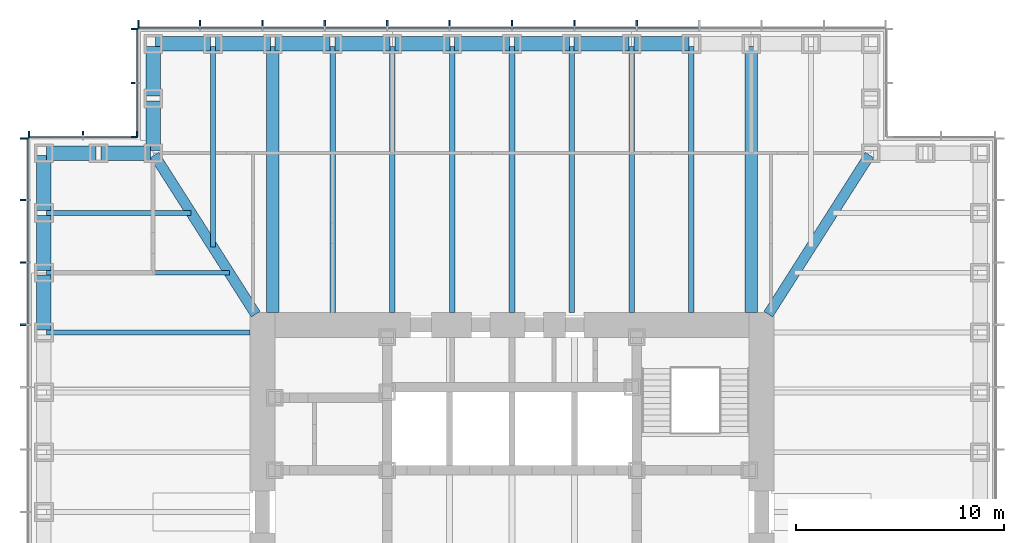
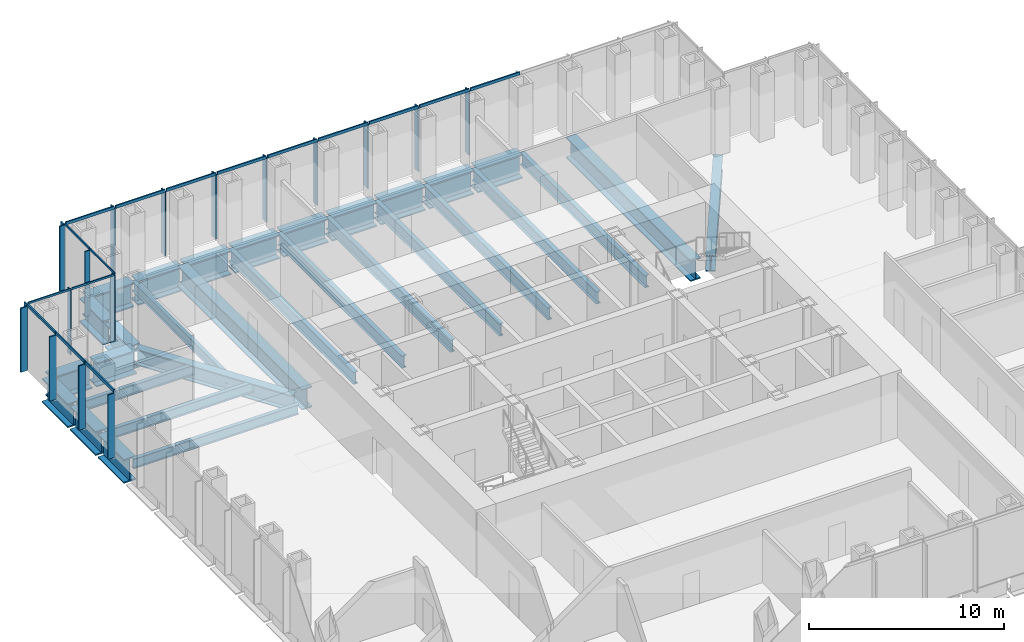
# One storey, part 5 of 17: 35 members, 31 beams, 4 elements without a shape of their own.
"""IFC4 building model written with IfcOpenShell, lengths in metres."""

from ifc_helpers import new_model, si_unit, direction, frame, origin, origin_2d, place, context, subcontext, project, spatial, rectangle, i_section, extrude, material, material_profile, profile_set, type_object, element, aggregate, save


model = new_model("IFC4")

# Units and contexts
model_context = context("Model", 3, precision=1e-05, world=origin(), true_north=direction((0.0, 1.0)))
body_context = subcontext(model_context, "Body", "Model", "MODEL_VIEW")
ifc_project = project(units=[si_unit("LENGTHUNIT", "METRE"), si_unit("AREAUNIT", "SQUARE_METRE"), si_unit("VOLUMEUNIT", "CUBIC_METRE"), si_unit("PLANEANGLEUNIT", "RADIAN"), si_unit("MASSUNIT", "GRAM", prefix="KILO")], contexts=[model_context])

# Site, building, storey
site_placement = place(None, origin())
site = spatial("IfcSite", under=ifc_project, at=site_placement, CompositionType="ELEMENT")
building_placement = place(site_placement, origin())
building = spatial("IfcBuilding", under=site, at=building_placement, Name="Daluyong Arena Tower", CompositionType="ELEMENT")
storey_placement = place(building_placement, frame((0.0, 0.0, 166.89990234375)))
storey = spatial("IfcBuildingStorey", under=building, at=storey_placement, Name="L37", CompositionType="ELEMENT", Elevation=166.89990234375)

# Curtain wall, members
ifc_material_1 = material(Name="Bronze anodised aluminium and glass", Category="aluminium")
curtain_wall_type_1 = type_object("IfcCurtainWallType", Name="Curtain wall CW2", PredefinedType="USERDEFINED", material=ifc_material_1)
curtain_wall_1_placement = place(storey_placement, origin())
curtain_wall_1 = element("IfcCurtainWall", 1, at=curtain_wall_1_placement, inside=storey, type_object=curtain_wall_type_1, Name="curtain wall L37 N", ObjectType="UNITISED CURTAIN WALL", PredefinedType="USERDEFINED")
ifc_material_2 = material(Name="Bronze anodised aluminium fin", Category="aluminium")
ifc_material_profile_1 = material_profile(ifc_material_2, rectangle(XDim=0.39990234375, YDim=0.080078125, at=origin_2d()))
ifc_profile_set_1 = profile_set([ifc_material_profile_1], Name="Bronze anodised aluminium fin")
member_type_1 = type_object("IfcMemberType", Name="CW2 bronze fin 400x80", PredefinedType="MULLION", material=ifc_profile_set_1)
member_1_placement = place(storey_placement, frame((62.0, 103.449951171875, 0.0), z_axis=(0.0, 0.0, 1.0), x_axis=(0.0, -1.0, 0.0)))
member_1 = element("IfcMember", 2, at=member_1_placement, type_object=member_type_1, Name="curtain wall L37 N fin 5", PredefinedType="MULLION", context=body_context, shape_type="SweptSolid", body=[
    extrude(rectangle(XDim=0.39990234375, YDim=0.080078125, at=origin_2d()), origin(), (0.0, 0.0, 1.0), 4.02001953125),
])
member_2_placement = place(storey_placement, frame((59.0, 103.449951171875, 0.0), z_axis=(0.0, 0.0, 1.0), x_axis=(0.0, -1.0, 0.0)))
member_2 = element("IfcMember", 3, at=member_2_placement, type_object=member_type_1, Name="curtain wall L37 N fin 6", PredefinedType="MULLION", context=body_context, shape_type="SweptSolid", body=[
    extrude(rectangle(XDim=0.39990234375, YDim=0.080078125, at=origin_2d()), origin(), (0.0, 0.0, 1.0), 4.02001953125),
])
member_3_placement = place(storey_placement, frame((56.0, 103.449951171875, 0.0), z_axis=(0.0, 0.0, 1.0), x_axis=(0.0, -1.0, 0.0)))
member_3 = element("IfcMember", 4, at=member_3_placement, type_object=member_type_1, Name="curtain wall L37 N fin 7", PredefinedType="MULLION", context=body_context, shape_type="SweptSolid", body=[
    extrude(rectangle(XDim=0.39990234375, YDim=0.080078125, at=origin_2d()), origin(), (0.0, 0.0, 1.0), 4.02001953125),
])
member_4_placement = place(storey_placement, frame((53.0, 103.449951171875, 0.0), z_axis=(0.0, 0.0, 1.0), x_axis=(0.0, -1.0, 0.0)))
member_4 = element("IfcMember", 5, at=member_4_placement, type_object=member_type_1, Name="curtain wall L37 N fin 8", PredefinedType="MULLION", context=body_context, shape_type="SweptSolid", body=[
    extrude(rectangle(XDim=0.39990234375, YDim=0.080078125, at=origin_2d()), origin(), (0.0, 0.0, 1.0), 4.02001953125),
])
member_5_placement = place(storey_placement, frame((50.0, 103.449951171875, 0.0), z_axis=(0.0, 0.0, 1.0), x_axis=(0.0, -1.0, 0.0)))
member_5 = element("IfcMember", 6, at=member_5_placement, type_object=member_type_1, Name="curtain wall L37 N fin 9", PredefinedType="MULLION", context=body_context, shape_type="SweptSolid", body=[
    extrude(rectangle(XDim=0.39990234375, YDim=0.080078125, at=origin_2d()), origin(), (0.0, 0.0, 1.0), 4.02001953125),
])
member_6_placement = place(storey_placement, frame((47.0, 103.449951171875, 0.0), z_axis=(0.0, 0.0, 1.0), x_axis=(0.0, -1.0, 0.0)))
member_6 = element("IfcMember", 7, at=member_6_placement, type_object=member_type_1, Name="curtain wall L37 N fin 10", PredefinedType="MULLION", context=body_context, shape_type="SweptSolid", body=[
    extrude(rectangle(XDim=0.39990234375, YDim=0.080078125, at=origin_2d()), origin(), (0.0, 0.0, 1.0), 4.02001953125),
])
member_7_placement = place(storey_placement, frame((44.0, 103.449951171875, 0.0), z_axis=(0.0, 0.0, 1.0), x_axis=(0.0, -1.0, 0.0)))
member_7 = element("IfcMember", 8, at=member_7_placement, type_object=member_type_1, Name="curtain wall L37 N fin 11", PredefinedType="MULLION", context=body_context, shape_type="SweptSolid", body=[
    extrude(rectangle(XDim=0.39990234375, YDim=0.080078125, at=origin_2d()), origin(), (0.0, 0.0, 1.0), 4.02001953125),
])
member_8_placement = place(storey_placement, frame((41.0, 103.449951171875, 0.0), z_axis=(0.0, 0.0, 1.0), x_axis=(0.0, -1.0, 0.0)))
member_8 = element("IfcMember", 9, at=member_8_placement, type_object=member_type_1, Name="curtain wall L37 N fin 12", PredefinedType="MULLION", context=body_context, shape_type="SweptSolid", body=[
    extrude(rectangle(XDim=0.39990234375, YDim=0.080078125, at=origin_2d()), origin(), (0.0, 0.0, 1.0), 4.02001953125),
])
member_9_placement = place(storey_placement, frame((38.0400390625, 103.449951171875, 0.0), z_axis=(0.0, 0.0, 1.0), x_axis=(0.0, -1.0, 0.0)))
member_9 = element("IfcMember", 10, at=member_9_placement, type_object=member_type_1, Name="curtain wall L37 N fin 13", PredefinedType="MULLION", context=body_context, shape_type="SweptSolid", body=[
    extrude(rectangle(XDim=0.39990234375, YDim=0.080078125, at=origin_2d()), origin(), (0.0, 0.0, 1.0), 4.02001953125),
])

curtain_wall_2_placement = place(storey_placement, origin())
curtain_wall_2 = element("IfcCurtainWall", 11, at=curtain_wall_2_placement, inside=storey, type_object=curtain_wall_type_1, Name="curtain wall L37 W", ObjectType="UNITISED CURTAIN WALL", PredefinedType="USERDEFINED")
member_10_placement = place(storey_placement, frame((32.550048828125, 97.9599609375, 0.0), z_axis=(0.0, 0.0, 1.0), x_axis=(1.0, 0.0, 0.0)))
member_10 = element("IfcMember", 12, at=member_10_placement, type_object=member_type_1, Name="curtain wall L37 W fin 1", PredefinedType="MULLION", context=body_context, shape_type="SweptSolid", body=[
    extrude(rectangle(XDim=0.39990234375, YDim=0.080078125, at=origin_2d()), origin(), (0.0, 0.0, 1.0), 4.02001953125),
])
member_11_placement = place(storey_placement, frame((32.550048828125, 95.0, 0.0), z_axis=(0.0, 0.0, 1.0), x_axis=(1.0, 0.0, 0.0)))
member_11 = element("IfcMember", 13, at=member_11_placement, type_object=member_type_1, Name="curtain wall L37 W fin 2", PredefinedType="MULLION", context=body_context, shape_type="SweptSolid", body=[
    extrude(rectangle(XDim=0.39990234375, YDim=0.080078125, at=origin_2d()), origin(), (0.0, 0.0, 1.0), 4.02001953125),
])
member_12_placement = place(storey_placement, frame((32.550048828125, 92.0, 0.0), z_axis=(0.0, 0.0, 1.0), x_axis=(1.0, 0.0, 0.0)))
member_12 = element("IfcMember", 14, at=member_12_placement, type_object=member_type_1, Name="curtain wall L37 W fin 3", PredefinedType="MULLION", context=body_context, shape_type="SweptSolid", body=[
    extrude(rectangle(XDim=0.39990234375, YDim=0.080078125, at=origin_2d()), origin(), (0.0, 0.0, 1.0), 4.02001953125),
])
member_13_placement = place(storey_placement, frame((32.550048828125, 89.0, 0.0), z_axis=(0.0, 0.0, 1.0), x_axis=(1.0, 0.0, 0.0)))
member_13 = element("IfcMember", 15, at=member_13_placement, type_object=member_type_1, Name="curtain wall L37 W fin 4", PredefinedType="MULLION", context=body_context, shape_type="SweptSolid", body=[
    extrude(rectangle(XDim=0.39990234375, YDim=0.080078125, at=origin_2d()), origin(), (0.0, 0.0, 1.0), 4.02001953125),
])

# Member
ifc_material_3 = material(Name="Bronze anodised aluminium", Category="aluminium")
ifc_material_profile_2 = material_profile(ifc_material_3, rectangle(XDim=0.080078125, YDim=0.179931640625, at=origin_2d()))
ifc_profile_set_2 = profile_set([ifc_material_profile_2], Name="Bronze anodised aluminium")
member_type_2 = type_object("IfcMemberType", Name="CW2 stack transom 180x80", PredefinedType="USERDEFINED", material=ifc_profile_set_2)
member_14_placement = place(storey_placement, frame((64.9599609375, 103.25, 4.110107421875), z_axis=(-1.0, 0.0, 0.0), x_axis=(0.0, -1.0, 0.0)))
member_14 = element("IfcMember", 16, at=member_14_placement, type_object=member_type_2, Name="curtain wall L37 N transom 4", ObjectType="TRANSOM", PredefinedType="USERDEFINED", context=body_context, shape_type="SweptSolid", body=[
    extrude(rectangle(XDim=0.080078125, YDim=0.179931640625, at=origin_2d()), origin(), (0.0, 0.0, 1.0), 2.919921875),
])

member_15_placement = place(storey_placement, frame((61.9599609375, 103.25, 4.110107421875), z_axis=(-1.0, 0.0, 0.0), x_axis=(0.0, -1.0, 0.0)))
member_15 = element("IfcMember", 17, at=member_15_placement, type_object=member_type_2, Name="curtain wall L37 N transom 5", ObjectType="TRANSOM", PredefinedType="USERDEFINED", context=body_context, shape_type="SweptSolid", body=[
    extrude(rectangle(XDim=0.080078125, YDim=0.179931640625, at=origin_2d()), origin(), (0.0, 0.0, 1.0), 2.919921875),
])

member_16_placement = place(storey_placement, frame((58.9599609375, 103.25, 4.110107421875), z_axis=(-1.0, 0.0, 0.0), x_axis=(0.0, -1.0, 0.0)))
member_16 = element("IfcMember", 18, at=member_16_placement, type_object=member_type_2, Name="curtain wall L37 N transom 6", ObjectType="TRANSOM", PredefinedType="USERDEFINED", context=body_context, shape_type="SweptSolid", body=[
    extrude(rectangle(XDim=0.080078125, YDim=0.179931640625, at=origin_2d()), origin(), (0.0, 0.0, 1.0), 2.919921875),
])

member_17_placement = place(storey_placement, frame((55.9599609375, 103.25, 4.110107421875), z_axis=(-1.0, 0.0, 0.0), x_axis=(0.0, -1.0, 0.0)))
member_17 = element("IfcMember", 19, at=member_17_placement, type_object=member_type_2, Name="curtain wall L37 N transom 7", ObjectType="TRANSOM", PredefinedType="USERDEFINED", context=body_context, shape_type="SweptSolid", body=[
    extrude(rectangle(XDim=0.080078125, YDim=0.179931640625, at=origin_2d()), origin(), (0.0, 0.0, 1.0), 2.919921875),
])

member_18_placement = place(storey_placement, frame((52.9599609375, 103.25, 4.110107421875), z_axis=(-1.0, 0.0, 0.0), x_axis=(0.0, -1.0, 0.0)))
member_18 = element("IfcMember", 20, at=member_18_placement, type_object=member_type_2, Name="curtain wall L37 N transom 8", ObjectType="TRANSOM", PredefinedType="USERDEFINED", context=body_context, shape_type="SweptSolid", body=[
    extrude(rectangle(XDim=0.080078125, YDim=0.179931640625, at=origin_2d()), origin(), (0.0, 0.0, 1.0), 2.919921875),
])

member_19_placement = place(storey_placement, frame((49.9599609375, 103.25, 4.110107421875), z_axis=(-1.0, 0.0, 0.0), x_axis=(0.0, -1.0, 0.0)))
member_19 = element("IfcMember", 21, at=member_19_placement, type_object=member_type_2, Name="curtain wall L37 N transom 9", ObjectType="TRANSOM", PredefinedType="USERDEFINED", context=body_context, shape_type="SweptSolid", body=[
    extrude(rectangle(XDim=0.080078125, YDim=0.179931640625, at=origin_2d()), origin(), (0.0, 0.0, 1.0), 2.919921875),
])

member_20_placement = place(storey_placement, frame((46.9599609375, 103.25, 4.110107421875), z_axis=(-1.0, 0.0, 0.0), x_axis=(0.0, -1.0, 0.0)))
member_20 = element("IfcMember", 22, at=member_20_placement, type_object=member_type_2, Name="curtain wall L37 N transom 10", ObjectType="TRANSOM", PredefinedType="USERDEFINED", context=body_context, shape_type="SweptSolid", body=[
    extrude(rectangle(XDim=0.080078125, YDim=0.179931640625, at=origin_2d()), origin(), (0.0, 0.0, 1.0), 2.919921875),
])

member_21_placement = place(storey_placement, frame((43.9599609375, 103.25, 4.110107421875), z_axis=(-1.0, 0.0, 0.0), x_axis=(0.0, -1.0, 0.0)))
member_21 = element("IfcMember", 23, at=member_21_placement, type_object=member_type_2, Name="curtain wall L37 N transom 11", ObjectType="TRANSOM", PredefinedType="USERDEFINED", context=body_context, shape_type="SweptSolid", body=[
    extrude(rectangle(XDim=0.080078125, YDim=0.179931640625, at=origin_2d()), origin(), (0.0, 0.0, 1.0), 2.919921875),
])

member_22_placement = place(storey_placement, frame((40.9599609375, 103.25, 4.110107421875), z_axis=(-1.0, 0.0, 0.0), x_axis=(0.0, -1.0, 0.0)))
member_22 = element("IfcMember", 24, at=member_22_placement, type_object=member_type_2, Name="curtain wall L37 N transom 12", ObjectType="TRANSOM", PredefinedType="USERDEFINED", context=body_context, shape_type="SweptSolid", body=[
    extrude(rectangle(XDim=0.080078125, YDim=0.179931640625, at=origin_2d()), origin(), (0.0, 0.0, 1.0), 2.8798828125),
])

aggregate(curtain_wall_1, [member_1, member_2, member_3, member_4, member_5, member_6, member_7, member_8, member_9, member_14, member_15, member_16, member_17, member_18, member_19, member_20, member_21, member_22])

member_23_placement = place(storey_placement, frame((32.75, 97.919921875, 4.110107421875), z_axis=(0.0, -1.0, 0.0), x_axis=(1.0, 0.0, 0.0)))
member_23 = element("IfcMember", 25, at=member_23_placement, type_object=member_type_2, Name="curtain wall L37 W transom 1", ObjectType="TRANSOM", PredefinedType="USERDEFINED", context=body_context, shape_type="SweptSolid", body=[
    extrude(rectangle(XDim=0.080078125, YDim=0.179931640625, at=origin_2d()), origin(), (0.0, 0.0, 1.0), 2.8798828125),
])

member_24_placement = place(storey_placement, frame((32.75, 94.9599609375, 4.110107421875), z_axis=(0.0, -1.0, 0.0), x_axis=(1.0, 0.0, 0.0)))
member_24 = element("IfcMember", 26, at=member_24_placement, type_object=member_type_2, Name="curtain wall L37 W transom 2", ObjectType="TRANSOM", PredefinedType="USERDEFINED", context=body_context, shape_type="SweptSolid", body=[
    extrude(rectangle(XDim=0.080078125, YDim=0.179931640625, at=origin_2d()), origin(), (0.0, 0.0, 1.0), 2.919921875),
])

member_25_placement = place(storey_placement, frame((32.75, 91.9599609375, 4.110107421875), z_axis=(0.0, -1.0, 0.0), x_axis=(1.0, 0.0, 0.0)))
member_25 = element("IfcMember", 27, at=member_25_placement, type_object=member_type_2, Name="curtain wall L37 W transom 3", ObjectType="TRANSOM", PredefinedType="USERDEFINED", context=body_context, shape_type="SweptSolid", body=[
    extrude(rectangle(XDim=0.080078125, YDim=0.179931640625, at=origin_2d()), origin(), (0.0, 0.0, 1.0), 2.919921875),
])

aggregate(curtain_wall_2, [member_10, member_11, member_12, member_13, member_23, member_24, member_25])

# Curtain wall, members
ifc_material_4 = material(Name="Bronze anodised aluminium and glass", Category="aluminium")
curtain_wall_type_2 = type_object("IfcCurtainWallType", Name="Curtain wall CW7", PredefinedType="USERDEFINED", material=ifc_material_4)
curtain_wall_3_placement = place(storey_placement, origin())
curtain_wall_3 = element("IfcCurtainWall", 28, at=curtain_wall_3_placement, inside=storey, type_object=curtain_wall_type_2, Name="curtain wall L37 NW-W", ObjectType="UNITISED CURTAIN WALL", PredefinedType="USERDEFINED")
ifc_material_5 = material(Name="Bronze anodised aluminium fin", Category="aluminium")
ifc_material_profile_3 = material_profile(ifc_material_5, rectangle(XDim=0.300048828125, YDim=0.06005859375, at=origin_2d()))
ifc_profile_set_3 = profile_set([ifc_material_profile_3], Name="Bronze anodised aluminium fin")
member_type_3 = type_object("IfcMemberType", Name="CW7 bronze fin 300x60", PredefinedType="MULLION", material=ifc_profile_set_3)
member_26_placement = place(storey_placement, frame((37.85009765625, 103.219970703125, 0.0), z_axis=(0.0, 0.0, 1.0), x_axis=(1.0, 0.0, 0.0)))
member_26 = element("IfcMember", 29, at=member_26_placement, type_object=member_type_3, Name="curtain wall L37 NW-W fin 1", PredefinedType="MULLION", context=body_context, shape_type="SweptSolid", body=[
    extrude(rectangle(XDim=0.300048828125, YDim=0.06005859375, at=origin_2d()), origin(), (0.0, 0.0, 1.0), 4.080078125),
])
member_27_placement = place(storey_placement, frame((37.85009765625, 100.625, 0.0), z_axis=(0.0, 0.0, 1.0), x_axis=(1.0, 0.0, 0.0)))
member_27 = element("IfcMember", 30, at=member_27_placement, type_object=member_type_3, Name="curtain wall L37 NW-W fin 2", PredefinedType="MULLION", context=body_context, shape_type="SweptSolid", body=[
    extrude(rectangle(XDim=0.300048828125, YDim=0.06005859375, at=origin_2d()), origin(), (0.0, 0.0, 1.0), 4.080078125),
])
member_28_placement = place(storey_placement, frame((37.85009765625, 98.030029296875, 0.0), z_axis=(0.0, 0.0, 1.0), x_axis=(1.0, 0.0, 0.0)))
member_28 = element("IfcMember", 31, at=member_28_placement, type_object=member_type_3, Name="curtain wall L37 NW-W fin 3", PredefinedType="MULLION", context=body_context, shape_type="SweptSolid", body=[
    extrude(rectangle(XDim=0.300048828125, YDim=0.06005859375, at=origin_2d()), origin(), (0.0, 0.0, 1.0), 4.080078125),
])

curtain_wall_4_placement = place(storey_placement, origin())
curtain_wall_4 = element("IfcCurtainWall", 32, at=curtain_wall_4_placement, inside=storey, type_object=curtain_wall_type_2, Name="curtain wall L37 NW-N", ObjectType="UNITISED CURTAIN WALL", PredefinedType="USERDEFINED")
member_29_placement = place(storey_placement, frame((37.969970703125, 98.14990234375, 0.0), z_axis=(0.0, 0.0, 1.0), x_axis=(0.0, -1.0, 0.0)))
member_29 = element("IfcMember", 33, at=member_29_placement, type_object=member_type_3, Name="curtain wall L37 NW-N fin 1", PredefinedType="MULLION", context=body_context, shape_type="SweptSolid", body=[
    extrude(rectangle(XDim=0.300048828125, YDim=0.06005859375, at=origin_2d()), origin(), (0.0, 0.0, 1.0), 4.080078125),
])
member_30_placement = place(storey_placement, frame((35.375, 98.14990234375, 0.0), z_axis=(0.0, 0.0, 1.0), x_axis=(0.0, -1.0, 0.0)))
member_30 = element("IfcMember", 34, at=member_30_placement, type_object=member_type_3, Name="curtain wall L37 NW-N fin 2", PredefinedType="MULLION", context=body_context, shape_type="SweptSolid", body=[
    extrude(rectangle(XDim=0.300048828125, YDim=0.06005859375, at=origin_2d()), origin(), (0.0, 0.0, 1.0), 4.080078125),
])
member_31_placement = place(storey_placement, frame((32.780029296875, 98.14990234375, 0.0), z_axis=(0.0, 0.0, 1.0), x_axis=(0.0, -1.0, 0.0)))
member_31 = element("IfcMember", 35, at=member_31_placement, type_object=member_type_3, Name="curtain wall L37 NW-N fin 3", PredefinedType="MULLION", context=body_context, shape_type="SweptSolid", body=[
    extrude(rectangle(XDim=0.300048828125, YDim=0.06005859375, at=origin_2d()), origin(), (0.0, 0.0, 1.0), 4.080078125),
])

# Member
ifc_material_6 = material(Name="Bronze anodised aluminium", Category="aluminium")
ifc_material_profile_4 = material_profile(ifc_material_6, rectangle(XDim=0.06005859375, YDim=0.1201171875, at=origin_2d()))
ifc_profile_set_4 = profile_set([ifc_material_profile_4], Name="Bronze anodised aluminium")
member_type_4 = type_object("IfcMemberType", Name="CW7 stack transom 120x60", PredefinedType="USERDEFINED", material=ifc_profile_set_4)
member_32_placement = place(storey_placement, frame((38.0, 103.18994140625, 4.14013671875), z_axis=(0.0, -1.0, 0.0), x_axis=(1.0, 0.0, 0.0)))
member_32 = element("IfcMember", 36, at=member_32_placement, type_object=member_type_4, Name="curtain wall L37 NW-W transom 1", ObjectType="TRANSOM", PredefinedType="USERDEFINED", context=body_context, shape_type="SweptSolid", body=[
    extrude(rectangle(XDim=0.06005859375, YDim=0.1201171875, at=origin_2d()), origin(), (0.0, 0.0, 1.0), 2.534912109375),
])

member_33_placement = place(storey_placement, frame((38.0, 100.594970703125, 4.14013671875), z_axis=(0.0, -1.0, 0.0), x_axis=(1.0, 0.0, 0.0)))
member_33 = element("IfcMember", 37, at=member_33_placement, type_object=member_type_4, Name="curtain wall L37 NW-W transom 2", ObjectType="TRANSOM", PredefinedType="USERDEFINED", context=body_context, shape_type="SweptSolid", body=[
    extrude(rectangle(XDim=0.06005859375, YDim=0.1201171875, at=origin_2d()), origin(), (0.0, 0.0, 1.0), 2.534912109375),
])

aggregate(curtain_wall_3, [member_26, member_27, member_28, member_32, member_33])

member_34_placement = place(storey_placement, frame((37.93994140625, 98.0, 4.14013671875), z_axis=(-1.0, 0.0, 0.0), x_axis=(0.0, -1.0, 0.0)))
member_34 = element("IfcMember", 38, at=member_34_placement, type_object=member_type_4, Name="curtain wall L37 NW-N transom 1", ObjectType="TRANSOM", PredefinedType="USERDEFINED", context=body_context, shape_type="SweptSolid", body=[
    extrude(rectangle(XDim=0.06005859375, YDim=0.1201171875, at=origin_2d()), origin(), (0.0, 0.0, 1.0), 2.534912109375),
])

member_35_placement = place(storey_placement, frame((35.344970703125, 98.0, 4.14013671875), z_axis=(-1.0, 0.0, 0.0), x_axis=(0.0, -1.0, 0.0)))
member_35 = element("IfcMember", 39, at=member_35_placement, type_object=member_type_4, Name="curtain wall L37 NW-N transom 2", ObjectType="TRANSOM", PredefinedType="USERDEFINED", context=body_context, shape_type="SweptSolid", body=[
    extrude(rectangle(XDim=0.06005859375, YDim=0.1201171875, at=origin_2d()), origin(), (0.0, 0.0, 1.0), 2.534912109375),
])

aggregate(curtain_wall_4, [member_29, member_30, member_31, member_34, member_35])

# Beams
ifc_material_7 = material(Name="Steel ASTM A572 Grade 50", Category="steel")
ifc_material_profile_5 = material_profile(ifc_material_7, i_section(OverallWidth=0.5, OverallDepth=1.0, WebThickness=0.03, FlangeThickness=0.06, at=origin_2d()))
ifc_profile_set_5 = profile_set([ifc_material_profile_5], Name="Steel ASTM A572 Grade 50")
beam_type_1 = type_object("IfcBeamType", Name="Corner girder TB1000X500", PredefinedType="BEAM", material=ifc_profile_set_5)
for number, where, z_axis, x_axis, name in (
    (40, (73.188232421875, 97.153076171875, -0.659912109375), (-0.536872006459, -0.843663705916, 0.0), (0.843663705916, -0.536872006459, 0.0), "corner girder DG2"),
    (41, (38.811767578125, 97.153076171875, -0.659912109375), (0.536872006459, -0.843663705916, 0.0), (0.843663705916, 0.536872006459, 0.0), "corner girder DG2"),
):
    element("IfcBeam", number, at=place(storey_placement, frame(where, z_axis=z_axis, x_axis=x_axis)), inside=storey, type_object=beam_type_1, Name=name, PredefinedType="BEAM", context=body_context, shape_type="SweptSolid", body=[
        extrude(i_section(OverallWidth=0.5, OverallDepth=1.0, WebThickness=0.03, FlangeThickness=0.06, at=origin_2d()), origin(), (0.0, 0.0, 1.0), 9.06396484375),
    ])
ifc_material_8 = material(Name="Steel ASTM A572 Grade 50", Category="steel")
ifc_material_profile_6 = material_profile(ifc_material_8, i_section(OverallWidth=0.60009765625, OverallDepth=1.300048828125, WebThickness=0.035, FlangeThickness=0.07, at=origin_2d()))
ifc_profile_set_6 = profile_set([ifc_material_profile_6], Name="Steel ASTM A572 Grade 50")
beam_type_2 = type_object("IfcBeamType", Name="Floor beam TB1300X600", PredefinedType="BEAM", material=ifc_profile_set_6)
for number, where, z_axis, x_axis, name in (
    (42, (67.5, 102.385009765625, -0.809814453125), (0.0, -1.0, 0.0), (1.0, 0.0, 0.0), "floor beam FB7"),
    (43, (44.5, 102.385009765625, -0.809814453125), (0.0, -1.0, 0.0), (1.0, 0.0, 0.0), "floor beam FB7"),
):
    element("IfcBeam", number, at=place(storey_placement, frame(where, z_axis=z_axis, x_axis=x_axis)), inside=storey, type_object=beam_type_2, Name=name, PredefinedType="BEAM", context=body_context, shape_type="SweptSolid", body=[
        extrude(i_section(OverallWidth=0.60009765625, OverallDepth=1.300048828125, WebThickness=0.035, FlangeThickness=0.07, at=origin_2d()), origin(), (0.0, 0.0, 1.0), 12.784912109375),
    ])
ifc_material_9 = material(Name="Steel ASTM A992 Grade 50", Category="steel")
ifc_material_profile_7 = material_profile(ifc_material_9, i_section(OverallWidth=0.22900390625, OverallDepth=0.612060546875, WebThickness=0.011962890625, FlangeThickness=0.01953125, at=origin_2d()))
ifc_profile_set_7 = profile_set([ifc_material_profile_7], Name="Steel ASTM A992 Grade 50")
beam_type_3 = type_object("IfcBeamType", Name="Floor beam W24X84", PredefinedType="BEAM", material=ifc_profile_set_7)
beam_1_placement = place(storey_placement, frame((41.625, 102.385009765625, -0.466064453125), z_axis=(0.0, -1.0, 0.0), x_axis=(1.0, 0.0, 0.0)))
element("IfcBeam", 44, at=beam_1_placement, inside=storey, type_object=beam_type_3, Name="floor beam FB3", PredefinedType="BEAM", context=body_context, shape_type="SweptSolid", body=[
    extrude(i_section(OverallWidth=0.22900390625, OverallDepth=0.612060546875, WebThickness=0.011962890625, FlangeThickness=0.01953125, at=origin_2d()), origin(), (0.0, 0.0, 1.0), 9.65283203125),
])
beam_2_placement = place(storey_placement, frame((33.614990234375, 94.375, -0.466064453125), z_axis=(1.0, 0.0, 0.0), x_axis=(0.0, 1.0, 0.0)))
element("IfcBeam", 45, at=beam_2_placement, inside=storey, type_object=beam_type_3, Name="floor beam FB3", PredefinedType="BEAM", context=body_context, shape_type="SweptSolid", body=[
    extrude(i_section(OverallWidth=0.22900390625, OverallDepth=0.612060546875, WebThickness=0.011962890625, FlangeThickness=0.01953125, at=origin_2d()), origin(), (0.0, 0.0, 1.0), 6.964599609375),
])
beam_3_placement = place(storey_placement, frame((33.614990234375, 91.5, -0.466064453125), z_axis=(1.0, 0.0, 0.0), x_axis=(0.0, 1.0, 0.0)))
element("IfcBeam", 46, at=beam_3_placement, inside=storey, type_object=beam_type_3, Name="floor beam FB3", PredefinedType="BEAM", context=body_context, shape_type="SweptSolid", body=[
    extrude(i_section(OverallWidth=0.22900390625, OverallDepth=0.612060546875, WebThickness=0.011962890625, FlangeThickness=0.01953125, at=origin_2d()), origin(), (0.0, 0.0, 1.0), 8.794189453125),
])
beam_4_placement = place(storey_placement, frame((33.614990234375, 88.625, -0.466064453125), z_axis=(1.0, 0.0, 0.0), x_axis=(0.0, 1.0, 0.0)))
element("IfcBeam", 47, at=beam_4_placement, inside=storey, type_object=beam_type_3, Name="floor beam FB3", PredefinedType="BEAM", context=body_context, shape_type="SweptSolid", body=[
    extrude(i_section(OverallWidth=0.22900390625, OverallDepth=0.612060546875, WebThickness=0.011962890625, FlangeThickness=0.01953125, at=origin_2d()), origin(), (0.0, 0.0, 1.0), 9.784912109375),
])
ifc_material_10 = material(Name="Steel ASTM A992 Grade 50", Category="steel")
ifc_material_profile_8 = material_profile(ifc_material_10, i_section(OverallWidth=0.2666015625, OverallDepth=0.761962890625, WebThickness=0.014404296875, FlangeThickness=0.021484375, at=origin_2d()))
ifc_profile_set_8 = profile_set([ifc_material_profile_8], Name="Steel ASTM A992 Grade 50")
beam_type_4 = type_object("IfcBeamType", Name="Floor beam W30X116", PredefinedType="BEAM", material=ifc_profile_set_8)
for number, where, z_axis, x_axis, name in (
    (48, (64.625, 102.385009765625, -0.541015625), (0.0, -1.0, 0.0), (1.0, 0.0, 0.0), "floor beam FB4"),
    (49, (61.75, 102.385009765625, -0.541015625), (0.0, -1.0, 0.0), (1.0, 0.0, 0.0), "floor beam FB4"),
    (50, (58.875, 102.385009765625, -0.541015625), (0.0, -1.0, 0.0), (1.0, 0.0, 0.0), "floor beam FB4"),
    (51, (56.0, 102.385009765625, -0.541015625), (0.0, -1.0, 0.0), (1.0, 0.0, 0.0), "floor beam FB4"),
    (52, (53.125, 102.385009765625, -0.541015625), (0.0, -1.0, 0.0), (1.0, 0.0, 0.0), "floor beam FB4"),
    (53, (50.25, 102.385009765625, -0.541015625), (0.0, -1.0, 0.0), (1.0, 0.0, 0.0), "floor beam FB4"),
    (54, (47.375, 102.385009765625, -0.541015625), (0.0, -1.0, 0.0), (1.0, 0.0, 0.0), "floor beam FB4"),
):
    element("IfcBeam", number, at=place(storey_placement, frame(where, z_axis=z_axis, x_axis=x_axis)), inside=storey, type_object=beam_type_4, Name=name, PredefinedType="BEAM", context=body_context, shape_type="SweptSolid", body=[
        extrude(i_section(OverallWidth=0.2666015625, OverallDepth=0.761962890625, WebThickness=0.014404296875, FlangeThickness=0.021484375, at=origin_2d()), origin(), (0.0, 0.0, 1.0), 12.784912109375),
    ])
ifc_material_11 = material(Name="Steel ASTM A572 Grade 50", Category="steel")
ifc_material_profile_9 = material_profile(ifc_material_11, i_section(OverallWidth=0.699951171875, OverallDepth=1.5, WebThickness=0.04, FlangeThickness=0.08, at=origin_2d()))
ifc_profile_set_9 = profile_set([ifc_material_profile_9], Name="Steel ASTM A572 Grade 50")
beam_type_5 = type_object("IfcBeamType", Name="Spandrel Z2 PG1500X700", PredefinedType="SPANDREL", material=ifc_profile_set_9)
for number, where, z_axis, x_axis, name in (
    (55, (64.510009765625, 102.5, -0.909912109375), (-1.0, 0.0, 0.0), (0.0, -1.0, 0.0), "spandrel z2 SB6"),
    (56, (61.635009765625, 102.5, -0.909912109375), (-1.0, 0.0, 0.0), (0.0, -1.0, 0.0), "spandrel z2 SB6"),
    (57, (58.760009765625, 102.5, -0.909912109375), (-1.0, 0.0, 0.0), (0.0, -1.0, 0.0), "spandrel z2 SB6"),
    (58, (55.885009765625, 102.5, -0.909912109375), (-1.0, 0.0, 0.0), (0.0, -1.0, 0.0), "spandrel z2 SB6"),
    (59, (53.010009765625, 102.5, -0.909912109375), (-1.0, 0.0, 0.0), (0.0, -1.0, 0.0), "spandrel z2 SB6"),
    (60, (50.135009765625, 102.5, -0.909912109375), (-1.0, 0.0, 0.0), (0.0, -1.0, 0.0), "spandrel z2 SB6"),
    (61, (47.260009765625, 102.5, -0.909912109375), (-1.0, 0.0, 0.0), (0.0, -1.0, 0.0), "spandrel z2 SB6"),
    (62, (44.385009765625, 102.5, -0.909912109375), (-1.0, 0.0, 0.0), (0.0, -1.0, 0.0), "spandrel z2 SB6"),
    (63, (41.510009765625, 102.5, -0.909912109375), (-1.0, 0.0, 0.0), (0.0, -1.0, 0.0), "spandrel z2 SB6"),
):
    element("IfcBeam", number, at=place(storey_placement, frame(where, z_axis=z_axis, x_axis=x_axis)), inside=storey, type_object=beam_type_5, Name=name, PredefinedType="SPANDREL", context=body_context, shape_type="SweptSolid", body=[
        extrude(i_section(OverallWidth=0.699951171875, OverallDepth=1.5, WebThickness=0.04, FlangeThickness=0.08, at=origin_2d()), origin(), (0.0, 0.0, 1.0), 2.64501953125),
    ])
for number, where, z_axis, x_axis, name in (
    (64, (38.75, 102.385009765625, -0.909912109375), (0.0, -1.0, 0.0), (1.0, 0.0, 0.0), "spandrel z2 SB6"),
    (65, (38.75, 99.760009765625, -0.909912109375), (0.0, -1.0, 0.0), (1.0, 0.0, 0.0), "spandrel z2 SB6"),
    (66, (38.635009765625, 97.25, -0.909912109375), (-1.0, 0.0, 0.0), (0.0, -1.0, 0.0), "spandrel z2 SB6"),
    (67, (36.010009765625, 97.25, -0.909912109375), (-1.0, 0.0, 0.0), (0.0, -1.0, 0.0), "spandrel z2 SB6"),
):
    element("IfcBeam", number, at=place(storey_placement, frame(where, z_axis=z_axis, x_axis=x_axis)), inside=storey, type_object=beam_type_5, Name=name, PredefinedType="SPANDREL", context=body_context, shape_type="SweptSolid", body=[
        extrude(i_section(OverallWidth=0.699951171875, OverallDepth=1.5, WebThickness=0.04, FlangeThickness=0.08, at=origin_2d()), origin(), (0.0, 0.0, 1.0), 2.39501953125),
    ])
for number, where, z_axis, x_axis, name in (
    (68, (33.5, 97.135009765625, -0.909912109375), (0.0, -1.0, 0.0), (1.0, 0.0, 0.0), "spandrel z2 SB6"),
    (69, (33.5, 94.260009765625, -0.909912109375), (0.0, -1.0, 0.0), (1.0, 0.0, 0.0), "spandrel z2 SB6"),
    (70, (33.5, 91.385009765625, -0.909912109375), (0.0, -1.0, 0.0), (1.0, 0.0, 0.0), "spandrel z2 SB6"),
):
    element("IfcBeam", number, at=place(storey_placement, frame(where, z_axis=z_axis, x_axis=x_axis)), inside=storey, type_object=beam_type_5, Name=name, PredefinedType="SPANDREL", context=body_context, shape_type="SweptSolid", body=[
        extrude(i_section(OverallWidth=0.699951171875, OverallDepth=1.5, WebThickness=0.04, FlangeThickness=0.08, at=origin_2d()), origin(), (0.0, 0.0, 1.0), 2.64501953125),
    ])

save(model, "model.ifc")
